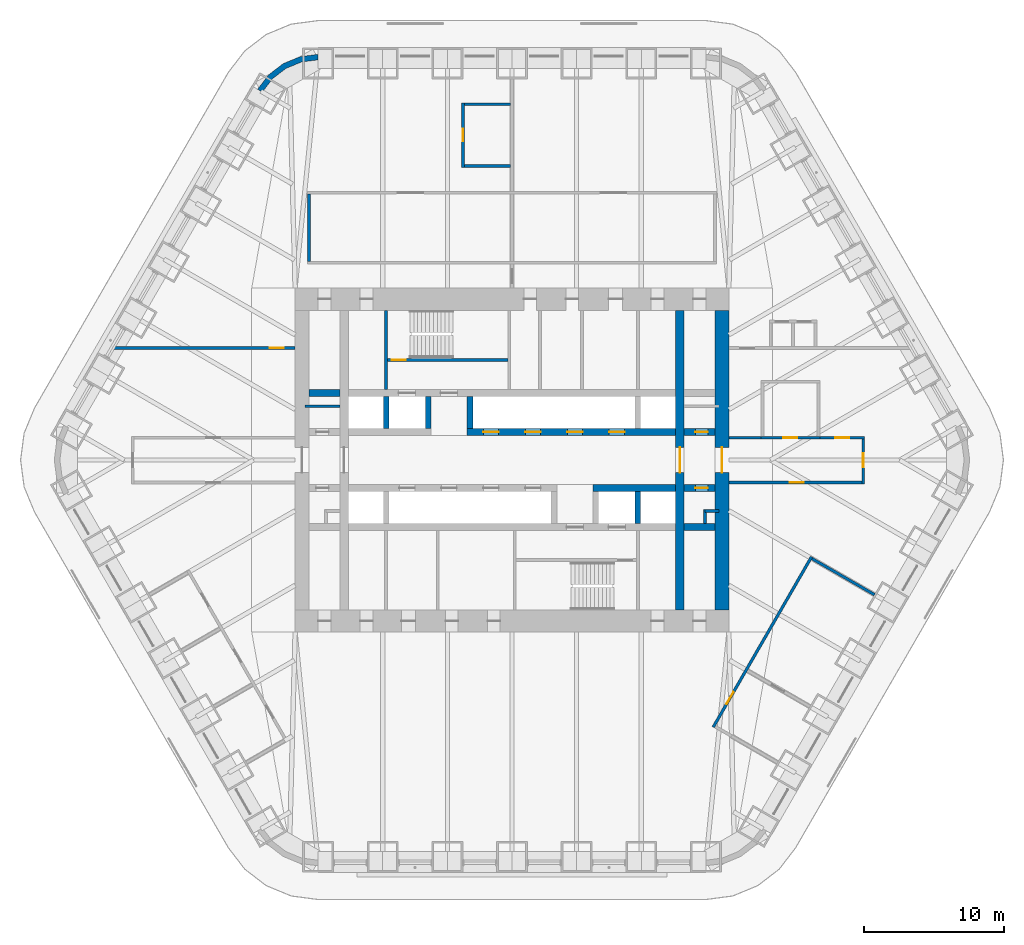
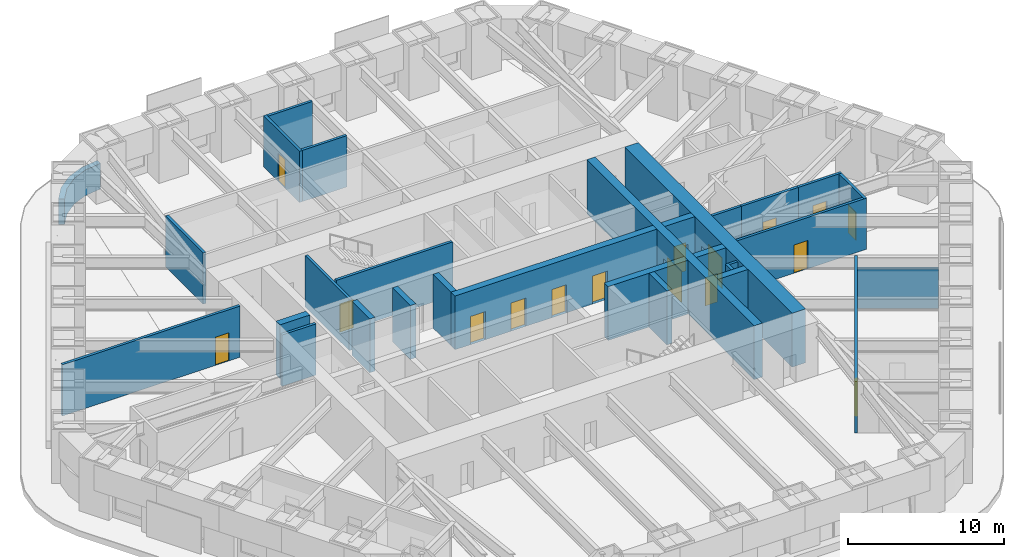
# One storey, part 16 of 20: 30 walls, 16 doors, 16 openings.
"""IFC4 building model written with IfcOpenShell, lengths in metres."""

from ifc_helpers import new_model, si_unit, direction, frame, frame_2d, origin, place, context, subcontext, project, spatial, polyline, rectangle, outline, extrude, material, layer, layer_set, type_object, element, fill, save


model = new_model("IFC4")

# Units and contexts
model_context = context("Model", 3, precision=1e-05, world=origin(), true_north=direction((0.0, 1.0)))
body_context = subcontext(model_context, "Body", "Model", "MODEL_VIEW")
ifc_project = project(units=[si_unit("LENGTHUNIT", "METRE"), si_unit("AREAUNIT", "SQUARE_METRE"), si_unit("VOLUMEUNIT", "CUBIC_METRE"), si_unit("PLANEANGLEUNIT", "RADIAN"), si_unit("MASSUNIT", "GRAM", prefix="KILO")], contexts=[model_context])

# Site, building, storey
site_placement = place(None, origin())
site = spatial("IfcSite", under=ifc_project, at=site_placement, CompositionType="ELEMENT")
building_placement = place(site_placement, origin())
building = spatial("IfcBuilding", under=site, at=building_placement, Name="Tarfa Lantern Tower", CompositionType="ELEMENT")
storey_placement = place(building_placement, frame((0.0, 0.0, 215.5)))
storey = spatial("IfcBuildingStorey", under=building, at=storey_placement, Name="L48", CompositionType="ELEMENT", Elevation=215.5)

# Walls
ifc_material_1 = material(Name="Limestone cladding on blockwork", Category="masonry")
ifc_layer_1 = layer(ifc_material_1, 0.39990234375)
ifc_layer_set_1 = layer_set([ifc_layer_1], Name="EW2 CURVED STONE CORNER 400")
wall_type_1 = type_object("IfcWallType", Name="EW2 CURVED STONE CORNER 400", PredefinedType="SOLIDWALL", material=ifc_layer_set_1)
wall_1_placement = place(storey_placement, origin())
element("IfcWall", 1, at=wall_1_placement, inside=storey, type_object=wall_type_1, Name="Stone corner N-NW", PredefinedType="SOLIDWALL", context=body_context, shape_type="SweptSolid", body=[
    extrude(outline(polyline([(-13.8564453125, 29.0), (-15.150390625, 28.82958984375), (-16.3564453125, 28.330078125), (-17.391845703125, 27.53564453125), (-18.1865234375, 26.5), (-17.840087890625, 26.300048828125), (-17.109130859375, 27.252685546875), (-16.156494140625, 27.983642578125), (-15.046875, 28.443359375), (-13.8564453125, 28.60009765625), (-13.8564453125, 29.0)])), origin(), (0.0, 0.0, 1.0), 2.0),
])
ifc_material_2 = material(Name="Concrete blockwork", Category="masonry")
ifc_layer_2 = layer(ifc_material_2, 0.199951171875)
ifc_layer_set_2 = layer_set([ifc_layer_2], Name="IW1 BLOCKWORK PARTITION 200 EI 120")
wall_type_2 = type_object("IfcWallType", Name="IW1 BLOCKWORK PARTITION 200 EI 120", PredefinedType="PARTITIONING", material=ifc_layer_set_2)
wall_2_placement = place(storey_placement, frame((-9.0, 5.050048828125, 0.0), z_axis=(0.0, 0.0, 1.0), x_axis=(0.0, 1.0, 0.0)))
element("IfcWall", 2, at=wall_2_placement, inside=storey, type_object=wall_type_2, Name="Core partition", PredefinedType="PARTITIONING", context=body_context, shape_type="SweptSolid", body=[
    extrude(rectangle(XDim=5.64990234375, YDim=0.199951171875, at=frame_2d((2.824951171875, 0.0))), origin(), (0.0, 0.0, 1.0), 4.0),
])
wall_3_placement = place(storey_placement, frame((-14.800048828125, 3.85009765625, 0.0), z_axis=(0.0, 0.0, 1.0), x_axis=(1.0, 0.0, 0.0)))
element("IfcWall", 3, at=wall_3_placement, inside=storey, type_object=wall_type_2, Name="Core partition", PredefinedType="PARTITIONING", context=body_context, shape_type="SweptSolid", body=[
    extrude(rectangle(XDim=2.5, YDim=0.199951171875, at=frame_2d((1.25, 0.0))), origin(), (0.0, 0.0, 1.0), 4.0),
])
for number, where, z_axis, x_axis, name in (
    (4, (14.800048828125, -3.64990234375, 0.0), (0.0, 0.0, 1.0), (-1.0, 0.0, 0.0), "Core partition"),
    (5, (13.800048828125, -3.550048828125, 0.0), (0.0, 0.0, 1.0), (0.0, -1.0, 0.0), "Core partition"),
):
    element("IfcWall", number, at=place(storey_placement, frame(where, z_axis=z_axis, x_axis=x_axis)), inside=storey, type_object=wall_type_2, Name=name, PredefinedType="PARTITIONING", context=body_context, shape_type="SweptSolid", body=[
        extrude(rectangle(XDim=1.0, YDim=0.199951171875, at=frame_2d((0.5, 0.0))), origin(), (0.0, 0.0, 1.0), 4.0),
    ])
ifc_material_3 = material(Name="Gypsum board on steel studs", Category="steel")
ifc_layer_3 = layer(ifc_material_3, 0.2099609375)
ifc_layer_set_3 = layer_set([ifc_layer_3], Name="IW2 ACOUSTIC PARTITION 200")
wall_type_3 = type_object("IfcWallType", Name="IW2 ACOUSTIC PARTITION 200", PredefinedType="PARTITIONING", material=ifc_layer_set_3)
wall_4_placement = place(storey_placement, frame((-14.5, 14.199951171875, 0.0), z_axis=(0.0, 0.0, 1.0), x_axis=(0.0, 1.0, 0.0)))
element("IfcWall", 6, at=wall_4_placement, inside=storey, type_object=wall_type_3, Name="Partition", PredefinedType="PARTITIONING", context=body_context, shape_type="SweptSolid", body=[
    extrude(rectangle(XDim=4.800048828125, YDim=0.199951171875, at=frame_2d((2.39990234375, 0.0))), origin(), (0.0, 0.0, 1.0), 4.0),
])

# Wall, opening, door
wall_5_placement = place(storey_placement, frame((14.3837890625, -19.086669921875, 0.0), z_axis=(0.0, 0.0, 1.0), x_axis=(0.499989069193, 0.866031714597, 0.0)))
wall_5 = element("IfcWall", 7, at=wall_5_placement, inside=storey, type_object=wall_type_3, Name="Partition", PredefinedType="PARTITIONING", context=body_context, shape_type="SweptSolid", body=[
    extrude(rectangle(XDim=14.056396484375, YDim=0.199951171875, at=frame_2d((7.0283203125, 0.0))), origin(), (0.0, 0.0, 1.0), 4.0),
])
opening_1_placement = place(wall_5_placement, frame((1.909423828125, 0.0, 0.0)))
opening_1 = element("IfcOpeningElement", 8, at=opening_1_placement, cuts=wall_5, Name="Opening D28", PredefinedType="OPENING", context=body_context, shape_type="SweptSolid", body=[
    extrude(rectangle(XDim=1.0, YDim=2.199951171875, at=frame_2d((0.5, 1.10009765625))), frame((0.0, 0.10986328125, 0.0), z_axis=(0.0, -1.0, 0.0), x_axis=(1.0, 0.0, 0.0)), (0.0, 0.0, 1.0), 0.219970703125),
])
ifc_material_4 = material(Name="Timber door", Category="wood")
door_type_1 = type_object("IfcDoorType", Name="DR1 ROOM DOOR 1000x2200", OperationType="SINGLE_SWING_LEFT", PredefinedType="DOOR", material=ifc_material_4)
door_1_placement = place(opening_1_placement, frame((1.0, 0.0, 0.0), z_axis=(0.0, 0.0, 1.0), x_axis=(-1.0, 0.0, 0.0)))
door_1 = element("IfcDoor", 9, at=door_1_placement, inside=storey, type_object=door_type_1, Name="Client reception door", OperationType="SINGLE_SWING_LEFT", OverallHeight=2.199951171875, OverallWidth=1.0, PredefinedType="DOOR", context=body_context, shape_type="SweptSolid", body=[
    extrude(rectangle(XDim=1.0, YDim=2.199951171875, at=frame_2d((0.5, 1.10009765625))), frame((0.0, 0.02490234375, 0.0), z_axis=(0.0, -1.0, 0.0), x_axis=(1.0, 0.0, 0.0)), (0.0, 0.0, 1.0), 0.050048828125),
])
fill(opening_1, door_1)

# Wall
wall_6_placement = place(storey_placement, frame((21.448486328125, -7.050048828125, 0.0), z_axis=(0.0, 0.0, 1.0), x_axis=(0.866037967349, -0.499978238636, 0.0)))
element("IfcWall", 10, at=wall_6_placement, inside=storey, type_object=wall_type_3, Name="Partition", PredefinedType="PARTITIONING", context=body_context, shape_type="SweptSolid", body=[
    extrude(rectangle(XDim=5.150146484375, YDim=0.199951171875, at=frame_2d((2.5751953125, 0.0))), origin(), (0.0, 0.0, 1.0), 3.08154296875),
])

# Wall, opening, door
wall_7_placement = place(storey_placement, frame((17.800048828125, 1.60009765625, 0.0), z_axis=(0.0, 0.0, 1.0), x_axis=(1.0, 0.0, 0.0)))
wall_7 = element("IfcWall", 11, at=wall_7_placement, inside=storey, type_object=wall_type_3, Name="Partition", PredefinedType="PARTITIONING", context=body_context, shape_type="SweptSolid", body=[
    extrude(rectangle(XDim=4.199951171875, YDim=0.199951171875, at=frame_2d((2.10009765625, 0.0))), origin(), (0.0, 0.0, 1.0), 4.0),
])
opening_2_placement = place(wall_7_placement, frame((1.60009765625, 0.0, 0.0)))
opening_2 = element("IfcOpeningElement", 12, at=opening_2_placement, cuts=wall_7, Name="Opening D27", PredefinedType="OPENING", context=body_context, shape_type="SweptSolid", body=[
    extrude(rectangle(XDim=1.0, YDim=2.199951171875, at=frame_2d((0.5, 1.10009765625))), frame((0.0, 0.10986328125, 0.0), z_axis=(0.0, -1.0, 0.0), x_axis=(1.0, 0.0, 0.0)), (0.0, 0.0, 1.0), 0.219970703125),
])
door_2_placement = place(opening_2_placement, origin())
door_2 = element("IfcDoor", 13, at=door_2_placement, inside=storey, type_object=door_type_1, Name="Servery door", OperationType="SINGLE_SWING_LEFT", OverallHeight=2.199951171875, OverallWidth=1.0, PredefinedType="DOOR", context=body_context, shape_type="SweptSolid", body=[
    extrude(rectangle(XDim=1.0, YDim=2.199951171875, at=frame_2d((0.5, 1.10009765625))), frame((0.0, 0.02490234375, 0.0), z_axis=(0.0, -1.0, 0.0), x_axis=(1.0, 0.0, 0.0)), (0.0, 0.0, 1.0), 0.050048828125),
])
fill(opening_2, door_2)

# Wall
wall_8_placement = place(storey_placement, frame((15.5, 1.60009765625, 0.0), z_axis=(0.0, 0.0, 1.0), x_axis=(1.0, 0.0, 0.0)))
element("IfcWall", 14, at=wall_8_placement, inside=storey, type_object=wall_type_3, Name="Partition", PredefinedType="PARTITIONING", context=body_context, shape_type="SweptSolid", body=[
    extrude(rectangle(XDim=2.300048828125, YDim=0.199951171875, at=frame_2d((1.14990234375, 0.0))), origin(), (0.0, 0.0, 1.0), 4.0),
])

# Wall, opening, door
wall_9_placement = place(storey_placement, frame((22.0, 1.60009765625, 0.0), z_axis=(0.0, 0.0, 1.0), x_axis=(1.0, 0.0, 0.0)))
wall_9 = element("IfcWall", 15, at=wall_9_placement, inside=storey, type_object=wall_type_3, Name="Partition", PredefinedType="PARTITIONING", context=body_context, shape_type="SweptSolid", body=[
    extrude(rectangle(XDim=3.199951171875, YDim=0.199951171875, at=frame_2d((1.60009765625, 0.0))), origin(), (0.0, 0.0, 1.0), 4.0),
])
opening_3_placement = place(wall_9_placement, frame((1.10009765625, 0.0, 0.0)))
opening_3 = element("IfcOpeningElement", 16, at=opening_3_placement, cuts=wall_9, Name="Opening D39", PredefinedType="OPENING", context=body_context, shape_type="SweptSolid", body=[
    extrude(rectangle(XDim=1.0, YDim=2.199951171875, at=frame_2d((0.5, 1.10009765625))), frame((0.0, 0.10986328125, 0.0), z_axis=(0.0, -1.0, 0.0), x_axis=(1.0, 0.0, 0.0)), (0.0, 0.0, 1.0), 0.219970703125),
])
door_3_placement = place(opening_3_placement, origin())
door_3 = element("IfcDoor", 17, at=door_3_placement, inside=storey, type_object=door_type_1, Name="Corridor door", OperationType="SINGLE_SWING_RIGHT", OverallHeight=2.199951171875, OverallWidth=1.0, PredefinedType="DOOR", context=body_context, shape_type="SweptSolid", body=[
    extrude(rectangle(XDim=1.0, YDim=2.199951171875, at=frame_2d((0.5, 1.10009765625))), frame((0.0, 0.02490234375, 0.0), z_axis=(0.0, -1.0, 0.0), x_axis=(1.0, 0.0, 0.0)), (0.0, 0.0, 1.0), 0.050048828125),
])
fill(opening_3, door_3)

wall_10_placement = place(storey_placement, frame((15.5, -1.60009765625, 0.0), z_axis=(0.0, 0.0, 1.0), x_axis=(1.0, 0.0, 0.0)))
wall_10 = element("IfcWall", 18, at=wall_10_placement, inside=storey, type_object=wall_type_3, Name="Partition", PredefinedType="PARTITIONING", context=body_context, shape_type="SweptSolid", body=[
    extrude(rectangle(XDim=9.699951171875, YDim=0.199951171875, at=frame_2d((4.85009765625, 0.0))), origin(), (0.0, 0.0, 1.0), 4.0),
])
opening_4_placement = place(wall_10_placement, frame((4.35009765625, 0.0, 0.0)))
opening_4 = element("IfcOpeningElement", 19, at=opening_4_placement, cuts=wall_10, Name="Opening D40", PredefinedType="OPENING", context=body_context, shape_type="SweptSolid", body=[
    extrude(rectangle(XDim=1.0, YDim=2.199951171875, at=frame_2d((0.5, 1.10009765625))), frame((0.0, 0.10986328125, 0.0), z_axis=(0.0, -1.0, 0.0), x_axis=(1.0, 0.0, 0.0)), (0.0, 0.0, 1.0), 0.219970703125),
])
door_4_placement = place(opening_4_placement, frame((1.0, 0.0, 0.0), z_axis=(0.0, 0.0, 1.0), x_axis=(-1.0, 0.0, 0.0)))
door_4 = element("IfcDoor", 20, at=door_4_placement, inside=storey, type_object=door_type_1, Name="Corridor door", OperationType="SINGLE_SWING_LEFT", OverallHeight=2.199951171875, OverallWidth=1.0, PredefinedType="DOOR", context=body_context, shape_type="SweptSolid", body=[
    extrude(rectangle(XDim=1.0, YDim=2.199951171875, at=frame_2d((0.5, 1.10009765625))), frame((0.0, 0.02490234375, 0.0), z_axis=(0.0, -1.0, 0.0), x_axis=(1.0, 0.0, 0.0)), (0.0, 0.0, 1.0), 0.050048828125),
])
fill(opening_4, door_4)

wall_11_placement = place(storey_placement, frame((25.10009765625, -1.699951171875, 0.0), z_axis=(0.0, 0.0, 1.0), x_axis=(0.0, 1.0, 0.0)))
wall_11 = element("IfcWall", 21, at=wall_11_placement, inside=storey, type_object=wall_type_3, Name="Partition", PredefinedType="PARTITIONING", context=body_context, shape_type="SweptSolid", body=[
    extrude(rectangle(XDim=3.39990234375, YDim=0.199951171875, at=frame_2d((1.699951171875, 0.0))), origin(), (0.0, 0.0, 1.0), 4.0),
])
opening_5_placement = place(wall_11_placement, frame((1.199951171875, 0.0, 0.0)))
opening_5 = element("IfcOpeningElement", 22, at=opening_5_placement, cuts=wall_11, Name="Opening D38", PredefinedType="OPENING", context=body_context, shape_type="SweptSolid", body=[
    extrude(rectangle(XDim=1.0, YDim=2.199951171875, at=frame_2d((0.5, 1.10009765625))), frame((0.0, 0.10986328125, 0.0), z_axis=(0.0, -1.0, 0.0), x_axis=(1.0, 0.0, 0.0)), (0.0, 0.0, 1.0), 0.219970703125),
])
door_5_placement = place(opening_5_placement, frame((1.0, 0.0, 0.0), z_axis=(0.0, 0.0, 1.0), x_axis=(-1.0, 0.0, 0.0)))
door_5 = element("IfcDoor", 23, at=door_5_placement, inside=storey, type_object=door_type_1, Name="Corridor door", OperationType="SINGLE_SWING_LEFT", OverallHeight=2.199951171875, OverallWidth=1.0, PredefinedType="DOOR", context=body_context, shape_type="SweptSolid", body=[
    extrude(rectangle(XDim=1.0, YDim=2.199951171875, at=frame_2d((0.5, 1.10009765625))), frame((0.0, 0.02490234375, 0.0), z_axis=(0.0, -1.0, 0.0), x_axis=(1.0, 0.0, 0.0)), (0.0, 0.0, 1.0), 0.050048828125),
])
fill(opening_5, door_5)

wall_12_placement = place(storey_placement, frame((-15.5, 8.0, 0.0), z_axis=(0.0, 0.0, 1.0), x_axis=(-1.0, 0.0, 0.0)))
wall_12 = element("IfcWall", 24, at=wall_12_placement, inside=storey, type_object=wall_type_3, Name="Partition", PredefinedType="PARTITIONING", context=body_context, shape_type="SweptSolid", body=[
    extrude(rectangle(XDim=13.11328125, YDim=0.199951171875, at=frame_2d((6.556640625, 0.0))), origin(), (0.0, 0.0, 1.0), 4.0),
])
opening_6_placement = place(wall_12_placement, frame((0.811279296875, 0.0, 0.0)))
opening_6 = element("IfcOpeningElement", 25, at=opening_6_placement, cuts=wall_12, Name="Opening D46", PredefinedType="OPENING", context=body_context, shape_type="SweptSolid", body=[
    extrude(rectangle(XDim=1.0, YDim=2.199951171875, at=frame_2d((0.5, 1.10009765625))), frame((0.0, 0.10986328125, 0.0), z_axis=(0.0, -1.0, 0.0), x_axis=(1.0, 0.0, 0.0)), (0.0, 0.0, 1.0), 0.219970703125),
])
door_6_placement = place(opening_6_placement, frame((1.0, 0.0, 0.0), z_axis=(0.0, 0.0, 1.0), x_axis=(-1.0, 0.0, 0.0)))
door_6 = element("IfcDoor", 26, at=door_6_placement, inside=storey, type_object=door_type_1, Name="Zone door", OperationType="SINGLE_SWING_LEFT", OverallHeight=2.199951171875, OverallWidth=1.0, PredefinedType="DOOR", context=body_context, shape_type="SweptSolid", body=[
    extrude(rectangle(XDim=1.0, YDim=2.199951171875, at=frame_2d((0.5, 1.10009765625))), frame((0.0, 0.02490234375, 0.0), z_axis=(0.0, -1.0, 0.0), x_axis=(1.0, 0.0, 0.0)), (0.0, 0.0, 1.0), 0.050048828125),
])
fill(opening_6, door_6)

wall_13_placement = place(storey_placement, frame((-3.5, 20.925048828125, 0.0), z_axis=(0.0, 0.0, 1.0), x_axis=(0.0, 1.0, 0.0)))
wall_13 = element("IfcWall", 27, at=wall_13_placement, inside=storey, type_object=wall_type_3, Name="Partition", PredefinedType="PARTITIONING", context=body_context, shape_type="SweptSolid", body=[
    extrude(rectangle(XDim=4.599853515625, YDim=0.199951171875, at=frame_2d((2.2998046875, 0.0))), origin(), (0.0, 0.0, 1.0), 4.0),
])
opening_7_placement = place(wall_13_placement, frame((1.85009765625, 0.0, 0.0)))
opening_7 = element("IfcOpeningElement", 28, at=opening_7_placement, cuts=wall_13, Name="Opening D35", PredefinedType="OPENING", context=body_context, shape_type="SweptSolid", body=[
    extrude(rectangle(XDim=0.89990234375, YDim=2.199951171875, at=frame_2d((0.449951171875, 1.10009765625))), frame((0.0, 0.10986328125, 0.0), z_axis=(0.0, -1.0, 0.0), x_axis=(1.0, 0.0, 0.0)), (0.0, 0.0, 1.0), 0.219970703125),
])
door_type_2 = type_object("IfcDoorType", Name="DR3 ROOM DOOR 900x2200", OperationType="SINGLE_SWING_LEFT", PredefinedType="DOOR", material=ifc_material_4)
door_7_placement = place(opening_7_placement, frame((0.89990234375, 0.0, 0.0), z_axis=(0.0, 0.0, 1.0), x_axis=(-1.0, 0.0, 0.0)))
door_7 = element("IfcDoor", 29, at=door_7_placement, inside=storey, type_object=door_type_2, Name="Meeting room door", OperationType="SINGLE_SWING_RIGHT", OverallHeight=2.199951171875, OverallWidth=0.89990234375, PredefinedType="DOOR", context=body_context, shape_type="SweptSolid", body=[
    extrude(rectangle(XDim=0.89990234375, YDim=2.199951171875, at=frame_2d((0.449951171875, 1.10009765625))), frame((0.0, 0.02490234375, 0.0), z_axis=(0.0, -1.0, 0.0), x_axis=(1.0, 0.0, 0.0)), (0.0, 0.0, 1.0), 0.050048828125),
])
fill(opening_7, door_7)

# Walls
for number, where, z_axis, x_axis, name in (
    (30, (-0.10009765625, 21.02490234375, 0.0), (0.0, 0.0, 1.0), (-1.0, 0.0, 0.0), "Partition"),
    (31, (-0.10009765625, 25.425048828125, 0.0), (0.0, 0.0, 1.0), (-1.0, 0.0, 0.0), "Partition"),
):
    element("IfcWall", number, at=place(storey_placement, frame(where, z_axis=z_axis, x_axis=x_axis)), inside=storey, type_object=wall_type_3, Name=name, PredefinedType="PARTITIONING", context=body_context, shape_type="SweptSolid", body=[
        extrude(rectangle(XDim=3.2998046875, YDim=0.199951171875, at=frame_2d((1.64990234375, 0.0))), origin(), (0.0, 0.0, 1.0), 4.0),
    ])

# Wall, opening, door
ifc_material_5 = material(Name="Concrete C80/95", Category="concrete")
ifc_layer_4 = layer(ifc_material_5, 0.199951171875)
ifc_layer_set_4 = layer_set([ifc_layer_4], Name="SW12 CORE WALL 200")
wall_type_4 = type_object("IfcWallType", Name="SW12 CORE WALL 200", PredefinedType="SHEAR", material=ifc_layer_set_4)
wall_14_placement = place(storey_placement, frame((-8.89990234375, 7.14990234375, 0.0), z_axis=(0.0, 0.0, 1.0), x_axis=(1.0, 0.0, 0.0)))
wall_14 = element("IfcWall", 32, at=wall_14_placement, inside=storey, type_object=wall_type_4, Name="Core wall stair partition N", PredefinedType="SHEAR", context=body_context, shape_type="SweptSolid", body=[
    extrude(rectangle(XDim=8.599853515625, YDim=0.199951171875, at=frame_2d((4.2998046875, 0.0))), origin(), (0.0, 0.0, 1.0), 4.199951171875),
])
opening_8_placement = place(wall_14_placement, frame((0.300048828125, 0.0, 0.0)))
opening_8 = element("IfcOpeningElement", 33, at=opening_8_placement, cuts=wall_14, Name="Opening D23", PredefinedType="OPENING", context=body_context, shape_type="SweptSolid", body=[
    extrude(rectangle(XDim=1.0, YDim=2.199951171875, at=frame_2d((0.5, 1.10009765625))), frame((0.0, 0.10986328125, 0.0), z_axis=(0.0, -1.0, 0.0), x_axis=(1.0, 0.0, 0.0)), (0.0, 0.0, 1.0), 0.219970703125),
])
ifc_material_6 = material(Name="Steel fire door", Category="steel")
door_type_3 = type_object("IfcDoorType", Name="DF2 STAIR DOOR 1000x2200", OperationType="SINGLE_SWING_LEFT", PredefinedType="DOOR", material=ifc_material_6)
door_8_placement = place(opening_8_placement, origin())
door_8 = element("IfcDoor", 34, at=door_8_placement, inside=storey, type_object=door_type_3, Name="Stair door", OperationType="SINGLE_SWING_RIGHT", OverallHeight=2.199951171875, OverallWidth=1.0, PredefinedType="DOOR", context=body_context, shape_type="SweptSolid", body=[
    extrude(rectangle(XDim=1.0, YDim=2.199951171875, at=frame_2d((0.5, 1.10009765625))), frame((0.0, 0.02490234375, 0.0), z_axis=(0.0, -1.0, 0.0), x_axis=(1.0, 0.0, 0.0)), (0.0, 0.0, 1.0), 0.050048828125),
])
fill(opening_8, door_8)

ifc_layer_5 = layer(ifc_material_5, 1.0)
ifc_layer_set_5 = layer_set([ifc_layer_5], Name="SW2 CORE WALL 1000")
wall_type_5 = type_object("IfcWallType", Name="SW2 CORE WALL 1000", PredefinedType="SHEAR", material=ifc_layer_set_5)
wall_15_placement = place(storey_placement, frame((15.0, -10.699951171875, 0.0), z_axis=(0.0, 0.0, 1.0), x_axis=(0.0, 1.0, 0.0)))
wall_15 = element("IfcWall", 35, at=wall_15_placement, inside=storey, type_object=wall_type_5, Name="Core wall E", PredefinedType="SHEAR", context=body_context, shape_type="SweptSolid", body=[
    extrude(rectangle(XDim=21.39990234375, YDim=1.0, at=frame_2d((10.699951171875, 0.0))), origin(), (0.0, 0.0, 1.0), 4.199951171875),
])
opening_9_placement = place(wall_15_placement, frame((9.800048828125, 0.0, 0.0)))
opening_9 = element("IfcOpeningElement", 36, at=opening_9_placement, cuts=wall_15, Name="Opening D11", PredefinedType="OPENING", context=body_context, shape_type="SweptSolid", body=[
    extrude(rectangle(XDim=1.800048828125, YDim=2.39990234375, at=frame_2d((0.89990234375, 1.199951171875))), frame((0.0, 0.510009765625, 0.0), z_axis=(0.0, -1.0, 0.0), x_axis=(1.0, 0.0, 0.0)), (0.0, 0.0, 1.0), 1.02001953125),
])
door_type_4 = type_object("IfcDoorType", Name="DL1 LOBBY DOOR 1800x2400", OperationType="DOUBLE_DOOR_SINGLE_SWING", PredefinedType="DOOR", material=ifc_material_6)
door_9_placement = place(opening_9_placement, frame((1.800048828125, 0.0, 0.0), z_axis=(0.0, 0.0, 1.0), x_axis=(-1.0, 0.0, 0.0)))
door_9 = element("IfcDoor", 37, at=door_9_placement, inside=storey, type_object=door_type_4, Name="Lift lobby door", OperationType="DOUBLE_DOOR_SINGLE_SWING", OverallHeight=2.39990234375, OverallWidth=1.800048828125, PredefinedType="DOOR", context=body_context, shape_type="SweptSolid", body=[
    extrude(rectangle(XDim=1.800048828125, YDim=2.39990234375, at=frame_2d((0.89990234375, 1.199951171875))), frame((0.0, 0.02490234375, 0.0), z_axis=(0.0, -1.0, 0.0), x_axis=(1.0, 0.0, 0.0)), (0.0, 0.0, 1.0), 0.050048828125),
])
fill(opening_9, door_9)

# Wall, openings, doors
ifc_layer_6 = layer(ifc_material_5, 0.5)
ifc_layer_set_6 = layer_set([ifc_layer_6], Name="SW5 CORE WALL 500")
wall_type_6 = type_object("IfcWallType", Name="SW5 CORE WALL 500", PredefinedType="SHEAR", material=ifc_layer_set_6)
wall_16_placement = place(storey_placement, frame((-3.199951171875, 2.0, 0.0), z_axis=(0.0, 0.0, 1.0), x_axis=(1.0, 0.0, 0.0)))
wall_16 = element("IfcWall", 38, at=wall_16_placement, inside=storey, type_object=wall_type_6, Name="Core wall lobby east N", PredefinedType="SHEAR", context=body_context, shape_type="SweptSolid", body=[
    extrude(rectangle(XDim=14.89990234375, YDim=0.5, at=frame_2d((7.449951171875, 0.0))), origin(), (0.0, 0.0, 1.0), 4.199951171875),
])
opening_10_placement = place(wall_16_placement, frame((1.14990234375, 0.0, 0.0)))
opening_10 = element("IfcOpeningElement", 39, at=opening_10_placement, cuts=wall_16, Name="Opening LD03", PredefinedType="OPENING", context=body_context, shape_type="SweptSolid", body=[
    extrude(rectangle(XDim=1.10009765625, YDim=2.199951171875, at=frame_2d((0.550048828125, 1.10009765625))), frame((0.0, 0.260009765625, 0.0), z_axis=(0.0, -1.0, 0.0), x_axis=(1.0, 0.0, 0.0)), (0.0, 0.0, 1.0), 0.52001953125),
])
opening_11_placement = place(wall_16_placement, frame((4.14990234375, 0.0, 0.0)))
opening_11 = element("IfcOpeningElement", 40, at=opening_11_placement, cuts=wall_16, Name="Opening LD04", PredefinedType="OPENING", context=body_context, shape_type="SweptSolid", body=[
    extrude(rectangle(XDim=1.10009765625, YDim=2.199951171875, at=frame_2d((0.550048828125, 1.10009765625))), frame((0.0, 0.260009765625, 0.0), z_axis=(0.0, -1.0, 0.0), x_axis=(1.0, 0.0, 0.0)), (0.0, 0.0, 1.0), 0.52001953125),
])
opening_12_placement = place(wall_16_placement, frame((7.14990234375, 0.0, 0.0)))
opening_12 = element("IfcOpeningElement", 41, at=opening_12_placement, cuts=wall_16, Name="Opening LD05", PredefinedType="OPENING", context=body_context, shape_type="SweptSolid", body=[
    extrude(rectangle(XDim=1.10009765625, YDim=2.199951171875, at=frame_2d((0.550048828125, 1.10009765625))), frame((0.0, 0.260009765625, 0.0), z_axis=(0.0, -1.0, 0.0), x_axis=(1.0, 0.0, 0.0)), (0.0, 0.0, 1.0), 0.52001953125),
])
opening_13_placement = place(wall_16_placement, frame((10.14990234375, 0.0, 0.0)))
opening_13 = element("IfcOpeningElement", 42, at=opening_13_placement, cuts=wall_16, Name="Opening LD06", PredefinedType="OPENING", context=body_context, shape_type="SweptSolid", body=[
    extrude(rectangle(XDim=1.10009765625, YDim=2.199951171875, at=frame_2d((0.550048828125, 1.10009765625))), frame((0.0, 0.260009765625, 0.0), z_axis=(0.0, -1.0, 0.0), x_axis=(1.0, 0.0, 0.0)), (0.0, 0.0, 1.0), 0.52001953125),
])
ifc_material_7 = material(Name="Stainless steel lift door", Category="steel")
door_type_5 = type_object("IfcDoorType", Name="LD2 LIFT LANDING DOOR 1100x2200", OperationType="SLIDING_TO_LEFT", PredefinedType="DOOR", material=ifc_material_7)
door_10_placement = place(opening_10_placement, frame((1.10009765625, 0.0, 0.0), z_axis=(0.0, 0.0, 1.0), x_axis=(-1.0, 0.0, 0.0)))
door_10 = element("IfcDoor", 43, at=door_10_placement, inside=storey, type_object=door_type_5, Name="Landing door PC1", OperationType="SLIDING_TO_LEFT", OverallHeight=2.199951171875, OverallWidth=1.10009765625, PredefinedType="DOOR", context=body_context, shape_type="SweptSolid", body=[
    extrude(rectangle(XDim=1.10009765625, YDim=2.199951171875, at=frame_2d((0.550048828125, 1.10009765625))), frame((0.0, 0.02490234375, 0.0), z_axis=(0.0, -1.0, 0.0), x_axis=(1.0, 0.0, 0.0)), (0.0, 0.0, 1.0), 0.050048828125),
])
fill(opening_10, door_10)
door_11_placement = place(opening_11_placement, frame((1.10009765625, 0.0, 0.0), z_axis=(0.0, 0.0, 1.0), x_axis=(-1.0, 0.0, 0.0)))
door_11 = element("IfcDoor", 44, at=door_11_placement, inside=storey, type_object=door_type_5, Name="Landing door PC2", OperationType="SLIDING_TO_LEFT", OverallHeight=2.199951171875, OverallWidth=1.10009765625, PredefinedType="DOOR", context=body_context, shape_type="SweptSolid", body=[
    extrude(rectangle(XDim=1.10009765625, YDim=2.199951171875, at=frame_2d((0.550048828125, 1.10009765625))), frame((0.0, 0.02490234375, 0.0), z_axis=(0.0, -1.0, 0.0), x_axis=(1.0, 0.0, 0.0)), (0.0, 0.0, 1.0), 0.050048828125),
])
fill(opening_11, door_11)
door_12_placement = place(opening_12_placement, frame((1.10009765625, 0.0, 0.0), z_axis=(0.0, 0.0, 1.0), x_axis=(-1.0, 0.0, 0.0)))
door_12 = element("IfcDoor", 45, at=door_12_placement, inside=storey, type_object=door_type_5, Name="Landing door PC3", OperationType="SLIDING_TO_LEFT", OverallHeight=2.199951171875, OverallWidth=1.10009765625, PredefinedType="DOOR", context=body_context, shape_type="SweptSolid", body=[
    extrude(rectangle(XDim=1.10009765625, YDim=2.199951171875, at=frame_2d((0.550048828125, 1.10009765625))), frame((0.0, 0.02490234375, 0.0), z_axis=(0.0, -1.0, 0.0), x_axis=(1.0, 0.0, 0.0)), (0.0, 0.0, 1.0), 0.050048828125),
])
fill(opening_12, door_12)
door_13_placement = place(opening_13_placement, frame((1.10009765625, 0.0, 0.0), z_axis=(0.0, 0.0, 1.0), x_axis=(-1.0, 0.0, 0.0)))
door_13 = element("IfcDoor", 46, at=door_13_placement, inside=storey, type_object=door_type_5, Name="Landing door PC4", OperationType="SLIDING_TO_LEFT", OverallHeight=2.199951171875, OverallWidth=1.10009765625, PredefinedType="DOOR", context=body_context, shape_type="SweptSolid", body=[
    extrude(rectangle(XDim=1.10009765625, YDim=2.199951171875, at=frame_2d((0.550048828125, 1.10009765625))), frame((0.0, 0.02490234375, 0.0), z_axis=(0.0, -1.0, 0.0), x_axis=(1.0, 0.0, 0.0)), (0.0, 0.0, 1.0), 0.050048828125),
])
fill(opening_13, door_13)

# Wall, opening, door
wall_17_placement = place(storey_placement, frame((12.300048828125, 2.0, 0.0), z_axis=(0.0, 0.0, 1.0), x_axis=(1.0, 0.0, 0.0)))
wall_17 = element("IfcWall", 47, at=wall_17_placement, inside=storey, type_object=wall_type_6, Name="Core wall lobby east N", PredefinedType="SHEAR", context=body_context, shape_type="SweptSolid", body=[
    extrude(rectangle(XDim=2.199951171875, YDim=0.5, at=frame_2d((1.10009765625, 0.0))), origin(), (0.0, 0.0, 1.0), 4.199951171875),
])
opening_14_placement = place(wall_17_placement, frame((0.800048828125, 0.0, 0.0)))
opening_14 = element("IfcOpeningElement", 48, at=opening_14_placement, cuts=wall_17, Name="Opening D13", PredefinedType="OPENING", context=body_context, shape_type="SweptSolid", body=[
    extrude(rectangle(XDim=0.89990234375, YDim=2.199951171875, at=frame_2d((0.449951171875, 1.10009765625))), frame((0.0, 0.260009765625, 0.0), z_axis=(0.0, -1.0, 0.0), x_axis=(1.0, 0.0, 0.0)), (0.0, 0.0, 1.0), 0.52001953125),
])
door_type_6 = type_object("IfcDoorType", Name="DF6 SERVICE ROOM DOOR 900x2200", OperationType="SINGLE_SWING_LEFT", PredefinedType="DOOR", material=ifc_material_6)
door_14_placement = place(opening_14_placement, origin())
door_14 = element("IfcDoor", 49, at=door_14_placement, inside=storey, type_object=door_type_6, Name="Service room door", OperationType="SINGLE_SWING_LEFT", OverallHeight=2.199951171875, OverallWidth=0.89990234375, PredefinedType="DOOR", context=body_context, shape_type="SweptSolid", body=[
    extrude(rectangle(XDim=0.89990234375, YDim=2.199951171875, at=frame_2d((0.449951171875, 1.10009765625))), frame((0.0, 0.02490234375, 0.0), z_axis=(0.0, -1.0, 0.0), x_axis=(1.0, 0.0, 0.0)), (0.0, 0.0, 1.0), 0.050048828125),
])
fill(opening_14, door_14)

# Wall
wall_18_placement = place(storey_placement, frame((-14.5, 4.800048828125, 0.0), z_axis=(0.0, 0.0, 1.0), x_axis=(1.0, 0.0, 0.0)))
element("IfcWall", 50, at=wall_18_placement, inside=storey, type_object=wall_type_6, Name="Core wall rear N", PredefinedType="SHEAR", context=body_context, shape_type="SweptSolid", body=[
    extrude(rectangle(XDim=2.199951171875, YDim=0.5, at=frame_2d((1.10009765625, 0.0))), origin(), (0.0, 0.0, 1.0), 4.199951171875),
])

# Wall, opening, door
wall_19_placement = place(storey_placement, frame((14.5, -2.0, 0.0), z_axis=(0.0, 0.0, 1.0), x_axis=(-1.0, 0.0, 0.0)))
wall_19 = element("IfcWall", 51, at=wall_19_placement, inside=storey, type_object=wall_type_6, Name="Core wall lobby west S", PredefinedType="SHEAR", context=body_context, shape_type="SweptSolid", body=[
    extrude(rectangle(XDim=2.199951171875, YDim=0.5, at=frame_2d((1.10009765625, 0.0))), origin(), (0.0, 0.0, 1.0), 4.199951171875),
])
opening_15_placement = place(wall_19_placement, frame((0.5, 0.0, 0.0)))
opening_15 = element("IfcOpeningElement", 52, at=opening_15_placement, cuts=wall_19, Name="Opening D16", PredefinedType="OPENING", context=body_context, shape_type="SweptSolid", body=[
    extrude(rectangle(XDim=0.89990234375, YDim=2.199951171875, at=frame_2d((0.449951171875, 1.10009765625))), frame((0.0, 0.260009765625, 0.0), z_axis=(0.0, -1.0, 0.0), x_axis=(1.0, 0.0, 0.0)), (0.0, 0.0, 1.0), 0.52001953125),
])
door_15_placement = place(opening_15_placement, origin())
door_15 = element("IfcDoor", 53, at=door_15_placement, inside=storey, type_object=door_type_6, Name="Service room door", OperationType="SINGLE_SWING_RIGHT", OverallHeight=2.199951171875, OverallWidth=0.89990234375, PredefinedType="DOOR", context=body_context, shape_type="SweptSolid", body=[
    extrude(rectangle(XDim=0.89990234375, YDim=2.199951171875, at=frame_2d((0.449951171875, 1.10009765625))), frame((0.0, 0.02490234375, 0.0), z_axis=(0.0, -1.0, 0.0), x_axis=(1.0, 0.0, 0.0)), (0.0, 0.0, 1.0), 0.050048828125),
])
fill(opening_15, door_15)

# Walls
wall_20_placement = place(storey_placement, frame((11.699951171875, -2.0, 0.0), z_axis=(0.0, 0.0, 1.0), x_axis=(-1.0, 0.0, 0.0)))
element("IfcWall", 54, at=wall_20_placement, inside=storey, type_object=wall_type_6, Name="Core wall lobby west S", PredefinedType="SHEAR", context=body_context, shape_type="SweptSolid", body=[
    extrude(rectangle(XDim=5.89990234375, YDim=0.5, at=frame_2d((2.949951171875, 0.0))), origin(), (0.0, 0.0, 1.0), 4.199951171875),
])
wall_21_placement = place(storey_placement, frame((14.5, -4.800048828125, 0.0), z_axis=(0.0, 0.0, 1.0), x_axis=(-1.0, 0.0, 0.0)))
element("IfcWall", 55, at=wall_21_placement, inside=storey, type_object=wall_type_6, Name="Core wall rear S", PredefinedType="SHEAR", context=body_context, shape_type="SweptSolid", body=[
    extrude(rectangle(XDim=2.199951171875, YDim=0.5, at=frame_2d((1.10009765625, 0.0))), origin(), (0.0, 0.0, 1.0), 4.199951171875),
])
ifc_layer_7 = layer(ifc_material_5, 0.39990234375)
ifc_layer_set_7 = layer_set([ifc_layer_7], Name="SW6 CORE WALL 400")
wall_type_7 = type_object("IfcWallType", Name="SW6 CORE WALL 400", PredefinedType="SHEAR", material=ifc_layer_set_7)
for number, where, z_axis, x_axis, name in (
    (56, (-9.0, 2.25, 0.0), (0.0, 0.0, 1.0), (0.0, 1.0, 0.0), "Core wall divider N"),
    (57, (-6.0, 2.25, 0.0), (0.0, 0.0, 1.0), (0.0, 1.0, 0.0), "Core wall divider N"),
    (58, (-3.0, 2.25, 0.0), (0.0, 0.0, 1.0), (0.0, 1.0, 0.0), "Core wall divider N"),
    (59, (9.0, -2.25, 0.0), (0.0, 0.0, 1.0), (0.0, -1.0, 0.0), "Core wall divider S"),
):
    element("IfcWall", number, at=place(storey_placement, frame(where, z_axis=z_axis, x_axis=x_axis)), inside=storey, type_object=wall_type_7, Name=name, PredefinedType="SHEAR", context=body_context, shape_type="SweptSolid", body=[
        extrude(rectangle(XDim=2.300048828125, YDim=0.39990234375, at=frame_2d((1.14990234375, 0.0))), origin(), (0.0, 0.0, 1.0), 4.199951171875),
    ])

# Wall, opening, door
ifc_layer_8 = layer(ifc_material_5, 0.60009765625)
ifc_layer_set_8 = layer_set([ifc_layer_8], Name="SW9 CORE WALL 600")
wall_type_8 = type_object("IfcWallType", Name="SW9 CORE WALL 600", PredefinedType="SHEAR", material=ifc_layer_set_8)
wall_22_placement = place(storey_placement, frame((12.0, -10.699951171875, 0.0), z_axis=(0.0, 0.0, 1.0), x_axis=(0.0, 1.0, 0.0)))
wall_22 = element("IfcWall", 60, at=wall_22_placement, inside=storey, type_object=wall_type_8, Name="Core wall cross 12 m east", PredefinedType="SHEAR", context=body_context, shape_type="SweptSolid", body=[
    extrude(rectangle(XDim=21.39990234375, YDim=0.60009765625, at=frame_2d((10.699951171875, 0.0))), origin(), (0.0, 0.0, 1.0), 4.199951171875),
])
opening_16_placement = place(wall_22_placement, frame((9.800048828125, 0.0, 0.0)))
opening_16 = element("IfcOpeningElement", 61, at=opening_16_placement, cuts=wall_22, Name="Opening D25", PredefinedType="OPENING", context=body_context, shape_type="SweptSolid", body=[
    extrude(rectangle(XDim=1.800048828125, YDim=2.39990234375, at=frame_2d((0.89990234375, 1.199951171875))), frame((0.0, 0.31005859375, 0.0), z_axis=(0.0, -1.0, 0.0), x_axis=(1.0, 0.0, 0.0)), (0.0, 0.0, 1.0), 0.6201171875),
])
door_16_placement = place(opening_16_placement, origin())
door_16 = element("IfcDoor", 62, at=door_16_placement, inside=storey, type_object=door_type_4, Name="Lift lobby door", OperationType="DOUBLE_DOOR_SINGLE_SWING", OverallHeight=2.39990234375, OverallWidth=1.800048828125, PredefinedType="DOOR", context=body_context, shape_type="SweptSolid", body=[
    extrude(rectangle(XDim=1.800048828125, YDim=2.39990234375, at=frame_2d((0.89990234375, 1.199951171875))), frame((0.0, 0.02490234375, 0.0), z_axis=(0.0, -1.0, 0.0), x_axis=(1.0, 0.0, 0.0)), (0.0, 0.0, 1.0), 0.050048828125),
])
fill(opening_16, door_16)

save(model, "model.ifc")
